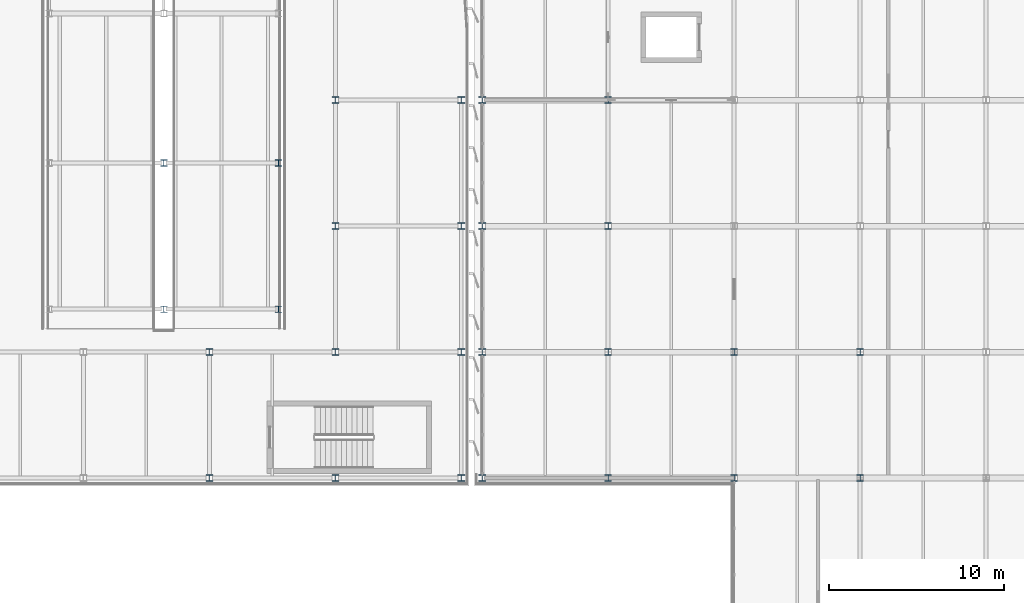
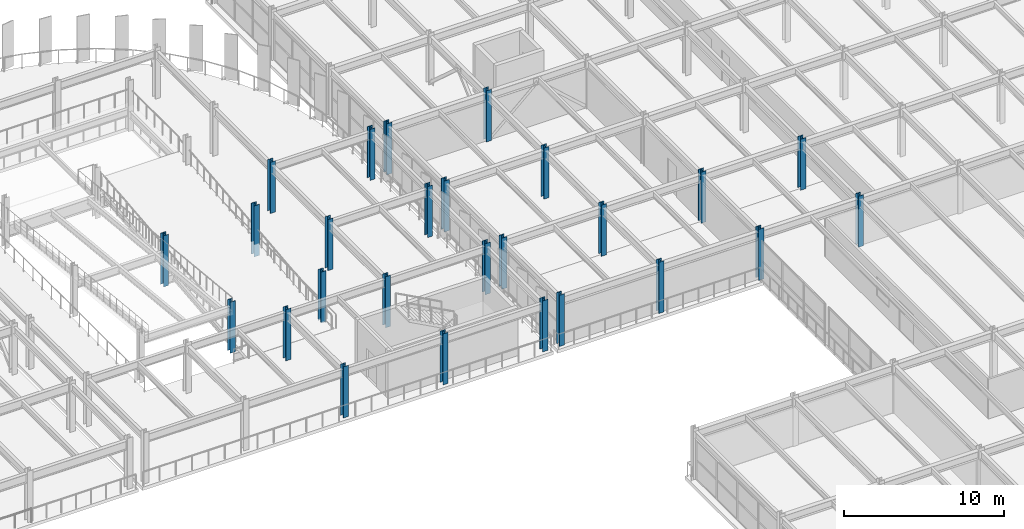
# One storey, part 14 of 93: 26 columns.
"""IFC4 building model written with IfcOpenShell, lengths in metres."""

from ifc_helpers import new_model, si_unit, direction, frame, origin, origin_2d, place, context, subcontext, project, spatial, i_section, extrude, material, material_profile, profile_set, type_object, element, save


model = new_model("IFC4")

# Units and contexts
model_context = context("Model", 3, precision=1e-05, world=origin(), true_north=direction((0.0, 1.0)))
body_context = subcontext(model_context, "Body", "Model", "MODEL_VIEW")
ifc_project = project(units=[si_unit("LENGTHUNIT", "METRE"), si_unit("AREAUNIT", "SQUARE_METRE"), si_unit("VOLUMEUNIT", "CUBIC_METRE"), si_unit("PLANEANGLEUNIT", "RADIAN"), si_unit("MASSUNIT", "GRAM", prefix="KILO")], contexts=[model_context])

# Site, building, storey
site_placement = place(None, origin())
site = spatial("IfcSite", under=ifc_project, at=site_placement, CompositionType="ELEMENT")
building_placement = place(site_placement, origin())
building = spatial("IfcBuilding", under=site, at=building_placement, Name="Vaelcorin Mobility Hub", CompositionType="ELEMENT")
storey_placement = place(building_placement, frame((0.0, 0.0, 5.39990234375)))
storey = spatial("IfcBuildingStorey", under=building, at=storey_placement, Name="L01", CompositionType="ELEMENT", Elevation=5.39990234375)

# Columns
ifc_material = material(Name="Steel ASTM A992 Grade 50", Category="steel")
ifc_material_profile_1 = material_profile(ifc_material, i_section(OverallWidth=0.37109375, OverallDepth=0.363037109375, WebThickness=0.01318359375, FlangeThickness=0.021728515625, FilletRadius=0.014892578125, at=origin_2d()), Name="W14X109")
ifc_profile_set_1 = profile_set([ifc_material_profile_1], Name="Steel ASTM A992 Grade 50")
column_type_1 = type_object("IfcColumnType", Name="COL-W14X109", PredefinedType="COLUMN", material=ifc_profile_set_1)
for number, where, z_axis, x_axis, name in (
    (1, (135.39990234375, 86.449951171875, 0.0), (0.0, 0.0, 1.0), (1.0, 0.0, 0.0), "Column V2E-RDRM-MS L01"),
    (2, (141.949951171875, 86.449951171875, 0.0), (0.0, 0.0, 1.0), (1.0, 0.0, 0.0), "Column V2E-RDRM-ES L01"),
    (3, (135.39990234375, 94.800048828125, 0.0), (0.0, 0.0, 1.0), (1.0, 0.0, 0.0), "Column V2E-RDRM-MC L01"),
    (4, (141.949951171875, 94.800048828125, 0.0), (0.0, 0.0, 1.0), (1.0, 0.0, 0.0), "Column V2E-RDRM-EC L01"),
):
    element("IfcColumn", number, at=place(storey_placement, frame(where, z_axis=z_axis, x_axis=x_axis)), inside=storey, type_object=column_type_1, Name=name, PredefinedType="COLUMN", context=body_context, shape_type="SweptSolid", body=[
        extrude(i_section(OverallWidth=0.37109375, OverallDepth=0.363037109375, WebThickness=0.01318359375, FlangeThickness=0.021728515625, FilletRadius=0.014892578125, at=origin_2d()), origin(), (0.0, 0.0, 1.0), 3.900146484375),
    ])
ifc_material_profile_2 = material_profile(ifc_material, i_section(OverallWidth=0.373046875, OverallDepth=0.373046875, WebThickness=0.016357421875, FlangeThickness=0.026123046875, FilletRadius=0.014892578125, at=origin_2d()), Name="W14X132")
ifc_profile_set_2 = profile_set([ifc_material_profile_2], Name="Steel ASTM A992 Grade 50")
column_type_2 = type_object("IfcColumnType", Name="COL-W14X132", PredefinedType="COLUMN", material=ifc_profile_set_2)
for number, where, z_axis, x_axis, name in (
    (5, (138.0, 76.800048828125, 0.0), (0.0, 0.0, 1.0), (1.0, 0.0, 0.0), "Column V2E-G3x1 L01"),
    (6, (138.0, 84.0, 0.0), (0.0, 0.0, 1.0), (1.0, 0.0, 0.0), "Column V2E-G3x2 L01"),
    (7, (145.199951171875, 76.800048828125, 0.0), (0.0, 0.0, 1.0), (1.0, 0.0, 0.0), "Column V2E-G4x1 L01"),
    (8, (145.199951171875, 84.0, 0.0), (0.0, 0.0, 1.0), (1.0, 0.0, 0.0), "Column V2E-G4x2 L01"),
    (9, (145.199951171875, 91.199951171875, 0.0), (0.0, 0.0, 1.0), (1.0, 0.0, 0.0), "Column V2E-G4x3 L01"),
    (10, (145.199951171875, 98.39990234375, 0.0), (0.0, 0.0, 1.0), (1.0, 0.0, 0.0), "Column V2E-G4x4 L01"),
    (11, (152.39990234375, 76.800048828125, 0.0), (0.0, 0.0, 1.0), (1.0, 0.0, 0.0), "Column V2E-G5x1 L01"),
    (12, (152.39990234375, 84.0, 0.0), (0.0, 0.0, 1.0), (1.0, 0.0, 0.0), "Column V2E-G5x2 L01"),
    (13, (152.39990234375, 91.199951171875, 0.0), (0.0, 0.0, 1.0), (1.0, 0.0, 0.0), "Column V2E-G5x3 L01"),
    (14, (152.39990234375, 98.39990234375, 0.0), (0.0, 0.0, 1.0), (1.0, 0.0, 0.0), "Column V2E-G5x4 L01"),
    (15, (153.60009765625, 76.800048828125, 0.0), (0.0, 0.0, 1.0), (1.0, 0.0, 0.0), "Column V5-X01Y09 L01"),
    (16, (153.60009765625, 84.0, 0.0), (0.0, 0.0, 1.0), (1.0, 0.0, 0.0), "Column V5-X01Y10 L01"),
    (17, (153.60009765625, 91.199951171875, 0.0), (0.0, 0.0, 1.0), (1.0, 0.0, 0.0), "Column V5-X01Y11 L01"),
    (18, (153.60009765625, 98.39990234375, 0.0), (0.0, 0.0, 1.0), (1.0, 0.0, 0.0), "Column V5-X01Y12 L01"),
    (19, (160.800048828125, 76.800048828125, 0.0), (0.0, 0.0, 1.0), (1.0, 0.0, 0.0), "Column V5-X02Y09 L01"),
    (20, (160.800048828125, 84.0, 0.0), (0.0, 0.0, 1.0), (1.0, 0.0, 0.0), "Column V5-X02Y10 L01"),
    (21, (160.800048828125, 91.199951171875, 0.0), (0.0, 0.0, 1.0), (1.0, 0.0, 0.0), "Column V5-X02Y11 L01"),
    (22, (160.800048828125, 98.39990234375, 0.0), (0.0, 0.0, 1.0), (1.0, 0.0, 0.0), "Column V5-X02Y12 L01"),
    (23, (168.0, 76.800048828125, 0.0), (0.0, 0.0, 1.0), (1.0, 0.0, 0.0), "Column V5-X03Y09 L01"),
    (24, (168.0, 84.0, 0.0), (0.0, 0.0, 1.0), (1.0, 0.0, 0.0), "Column V5-X03Y10 L01"),
    (25, (175.199951171875, 76.800048828125, 0.0), (0.0, 0.0, 1.0), (1.0, 0.0, 0.0), "Column V5-X04Y09 L01"),
    (26, (175.199951171875, 84.0, 0.0), (0.0, 0.0, 1.0), (1.0, 0.0, 0.0), "Column V5-X04Y10 L01"),
):
    element("IfcColumn", number, at=place(storey_placement, frame(where, z_axis=z_axis, x_axis=x_axis)), inside=storey, type_object=column_type_2, Name=name, PredefinedType="COLUMN", context=body_context, shape_type="SweptSolid", body=[
        extrude(i_section(OverallWidth=0.373046875, OverallDepth=0.373046875, WebThickness=0.016357421875, FlangeThickness=0.026123046875, FilletRadius=0.014892578125, at=origin_2d()), origin(), (0.0, 0.0, 1.0), 3.900146484375),
    ])

save(model, "model.ifc")
